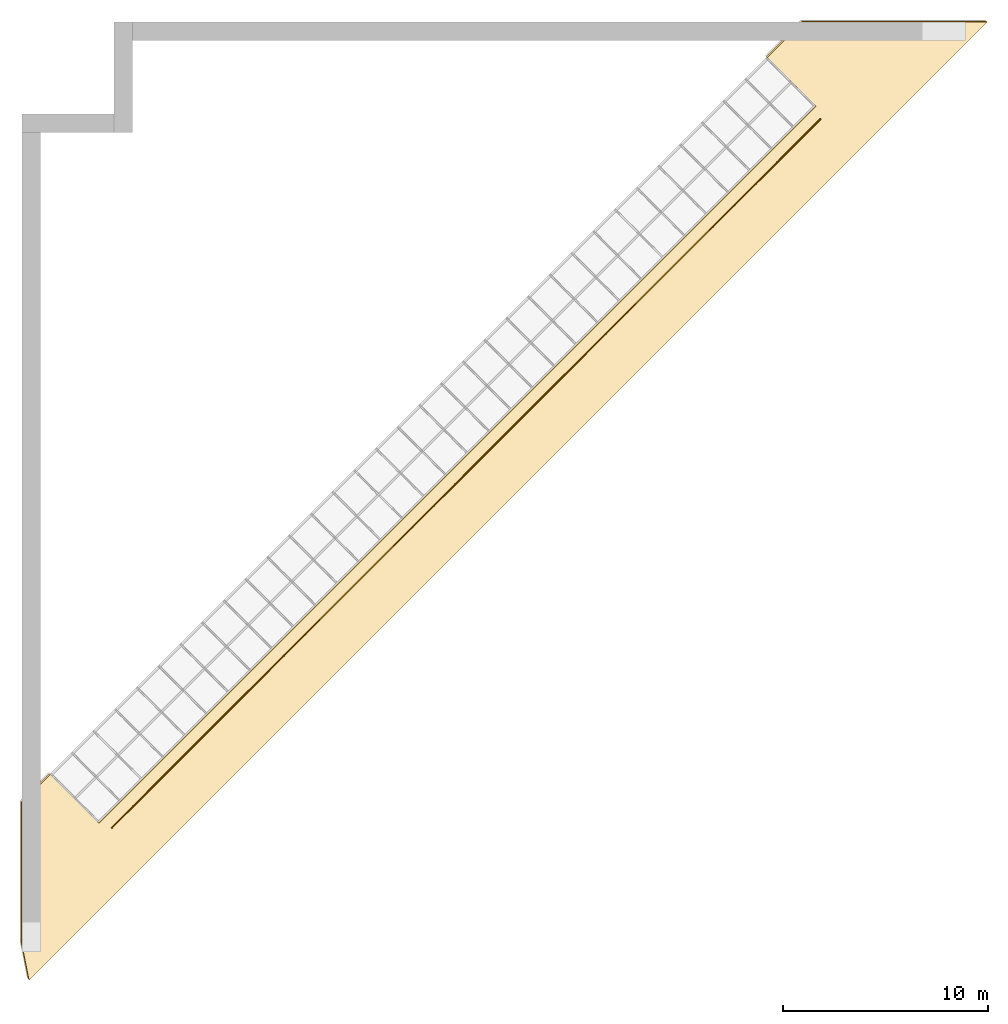
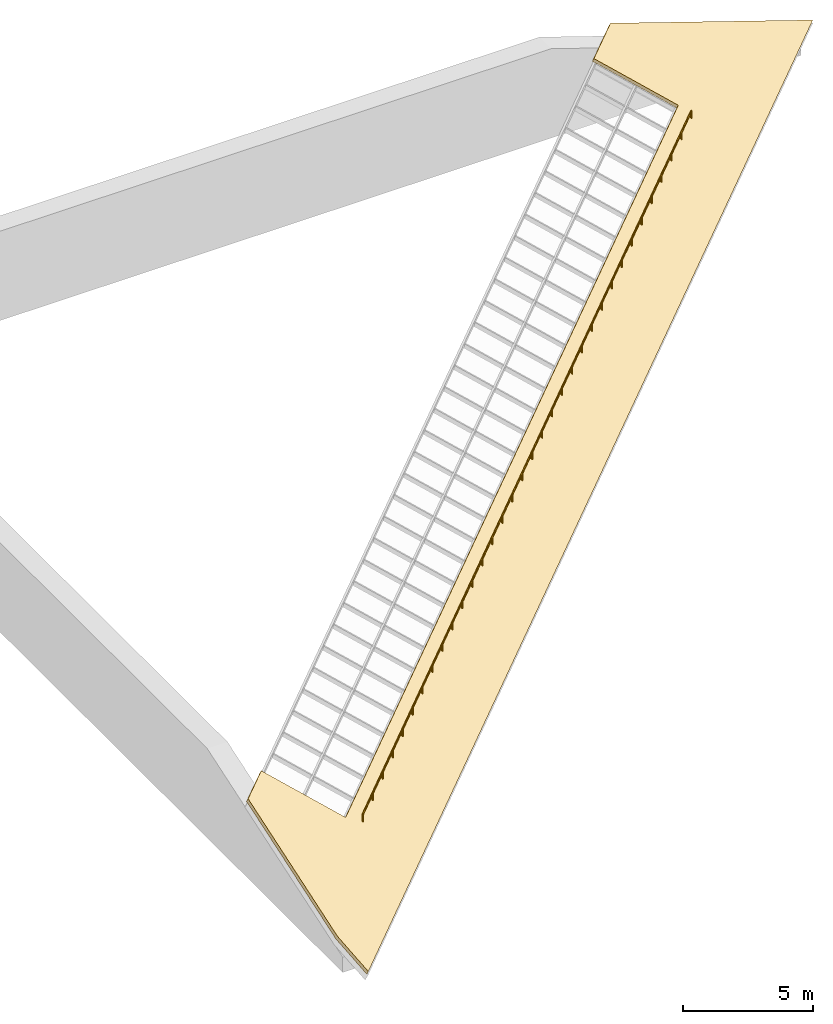
# One storey, part 4 of 4: 1 covering, 1 railing.
"""IFC4 building model written with IfcOpenShell, lengths in metres."""

from ifc_helpers import new_model, si_unit, direction, frame, origin, origin_2d, place, context, subcontext, project, spatial, polyline, circle, outline, extrude, material, layer, layer_set, type_object, element, save


model = new_model("IFC4")

# Units and contexts
model_context = context("Model", 3, precision=1e-05, world=origin(), true_north=direction((0.0, 1.0)))
body_context = subcontext(model_context, "Body", "Model", "MODEL_VIEW")
ifc_project = project(units=[si_unit("LENGTHUNIT", "METRE"), si_unit("AREAUNIT", "SQUARE_METRE"), si_unit("VOLUMEUNIT", "CUBIC_METRE"), si_unit("PLANEANGLEUNIT", "RADIAN"), si_unit("MASSUNIT", "GRAM", prefix="KILO")], contexts=[model_context])

# Site, building, storey
site_placement = place(None, origin())
site = spatial("IfcSite", under=ifc_project, at=site_placement, CompositionType="ELEMENT")
building_placement = place(site_placement, origin())
building = spatial("IfcBuilding", under=site, at=building_placement, Name="Hunhe Ridgeline Campus", CompositionType="ELEMENT")
storey_placement = place(building_placement, frame((0.0, 0.0, 319.800048828125)))
storey = spatial("IfcBuildingStorey", under=building, at=storey_placement, Name="L82 Crown", CompositionType="ELEMENT", Elevation=319.800048828125)

# Covering
ifc_material_1 = material(Name="Bituminous roofing membrane on mineral wool")
ifc_layer = layer(ifc_material_1, 0.14990234375)
ifc_layer_set = layer_set([ifc_layer], Name="Roof insulation and membrane 150")
covering_type = type_object("IfcCoveringType", Name="Roof insulation and membrane 150", PredefinedType="ROOFING", material=ifc_layer_set)
covering_placement = place(storey_placement, frame((0.0, 54.0, 1.45751953125), z_axis=(0.30152912385, -0.301527147579, 0.90452283926), x_axis=(0.181704280584, -0.913117887016, -0.364964763819)))
element("IfcCovering", 1, at=covering_placement, inside=storey, type_object=covering_type, Name="Roof insulation and membrane 7", PredefinedType="ROOFING", context=body_context, shape_type="SweptSolid", body=[
    extrude(outline(polyline([(0.0, 0.0), (1.937667436667103, 1.1102230246251565e-16), (-32.27002551822526, 56.60888778392989), (-35.00034743766614, 47.52336043991547), (-33.72840917628658, 45.41848273297777), (-30.54538586459371, 47.34192423451083), (-4.944481097295544, 4.976052117672018), (-8.127504408988417, 3.052610616138973), (-7.117882209095109, 1.3818288451119196), (0.0, 0.0)])), origin(), (0.0, 0.0, -1.0), 0.14990234375),
])

# Railing
ifc_material_2 = material(Name="Steel Q355", Category="steel")
railing_type = type_object("IfcRailingType", Name="Snow guard 350 Steel Q355", PredefinedType="USERDEFINED", material=ifc_material_2)
railing_placement = place(storey_placement, frame((38.97314453125, 94.245849609375, 1.8818359375)))
element("IfcRailing", 2, at=railing_placement, inside=storey, type_object=railing_type, Name="Snow guard 5", ObjectType="SNOW GUARD", PredefinedType="USERDEFINED", context=body_context, shape_type="SweptSolid", body=[
    extrude(circle(Radius=0.02392578125, at=origin_2d()), frame((0.0, 0.0, 0.326171875), z_axis=(-0.707106781187, -0.707106781187, 0.0), x_axis=(0.707106781187, -0.707106781187, 0.0)), (0.0, 0.0, 1.0), 48.900146484375),
    extrude(circle(Radius=0.02099609375, at=origin_2d()), origin(), (0.0, 0.0, 1.0), 0.302001953125),
    extrude(circle(Radius=0.02099609375, at=origin_2d()), frame((-1.0478515625, -1.0478515625, 0.0)), (0.0, 0.0, 1.0), 0.302001953125),
    extrude(circle(Radius=0.02099609375, at=origin_2d()), frame((-2.095703125, -2.095703125, 0.0)), (0.0, 0.0, 1.0), 0.302001953125),
    extrude(circle(Radius=0.02099609375, at=origin_2d()), frame((-3.143310546875, -3.143310546875, 0.0)), (0.0, 0.0, 1.0), 0.302001953125),
    extrude(circle(Radius=0.02099609375, at=origin_2d()), frame((-4.191162109375, -4.191162109375, 0.0)), (0.0, 0.0, 1.0), 0.302001953125),
    extrude(circle(Radius=0.02099609375, at=origin_2d()), frame((-5.239013671875, -5.239013671875, 0.0)), (0.0, 0.0, 1.0), 0.302001953125),
    extrude(circle(Radius=0.02099609375, at=origin_2d()), frame((-6.286865234375, -6.286865234375, 0.0)), (0.0, 0.0, 1.0), 0.302001953125),
    extrude(circle(Radius=0.02099609375, at=origin_2d()), frame((-7.334716796875, -7.334716796875, 0.0)), (0.0, 0.0, 1.0), 0.302001953125),
    extrude(circle(Radius=0.02099609375, at=origin_2d()), frame((-8.382568359375, -8.382568359375, 0.0)), (0.0, 0.0, 1.0), 0.302001953125),
    extrude(circle(Radius=0.02099609375, at=origin_2d()), frame((-9.43017578125, -9.43017578125, 0.0)), (0.0, 0.0, 1.0), 0.302001953125),
    extrude(circle(Radius=0.02099609375, at=origin_2d()), frame((-10.47802734375, -10.47802734375, 0.0)), (0.0, 0.0, 1.0), 0.302001953125),
    extrude(circle(Radius=0.02099609375, at=origin_2d()), frame((-11.52587890625, -11.52587890625, 0.0)), (0.0, 0.0, 1.0), 0.302001953125),
    extrude(circle(Radius=0.02099609375, at=origin_2d()), frame((-12.57373046875, -12.57373046875, 0.0)), (0.0, 0.0, 1.0), 0.302001953125),
    extrude(circle(Radius=0.02099609375, at=origin_2d()), frame((-13.62158203125, -13.62158203125, 0.0)), (0.0, 0.0, 1.0), 0.302001953125),
    extrude(circle(Radius=0.02099609375, at=origin_2d()), frame((-14.669189453125, -14.669189453125, 0.0)), (0.0, 0.0, 1.0), 0.302001953125),
    extrude(circle(Radius=0.02099609375, at=origin_2d()), frame((-15.717041015625, -15.717041015625, 0.0)), (0.0, 0.0, 1.0), 0.302001953125),
    extrude(circle(Radius=0.02099609375, at=origin_2d()), frame((-16.764892578125, -16.764892578125, 0.0)), (0.0, 0.0, 1.0), 0.302001953125),
    extrude(circle(Radius=0.02099609375, at=origin_2d()), frame((-17.812744140625, -17.812744140625, 0.0)), (0.0, 0.0, 1.0), 0.302001953125),
    extrude(circle(Radius=0.02099609375, at=origin_2d()), frame((-18.860595703125, -18.860595703125, 0.0)), (0.0, 0.0, 1.0), 0.302001953125),
    extrude(circle(Radius=0.02099609375, at=origin_2d()), frame((-19.908447265625, -19.908447265625, 0.0)), (0.0, 0.0, 1.0), 0.302001953125),
    extrude(circle(Radius=0.02099609375, at=origin_2d()), frame((-20.9560546875, -20.9560546875, 0.0)), (0.0, 0.0, 1.0), 0.302001953125),
    extrude(circle(Radius=0.02099609375, at=origin_2d()), frame((-22.00390625, -22.00390625, 0.0)), (0.0, 0.0, 1.0), 0.302001953125),
    extrude(circle(Radius=0.02099609375, at=origin_2d()), frame((-23.0517578125, -23.0517578125, 0.0)), (0.0, 0.0, 1.0), 0.302001953125),
    extrude(circle(Radius=0.02099609375, at=origin_2d()), frame((-24.099609375, -24.099609375, 0.0)), (0.0, 0.0, 1.0), 0.302001953125),
    extrude(circle(Radius=0.02099609375, at=origin_2d()), frame((-25.1474609375, -25.1474609375, 0.0)), (0.0, 0.0, 1.0), 0.302001953125),
    extrude(circle(Radius=0.02099609375, at=origin_2d()), frame((-26.195068359375, -26.195068359375, 0.0)), (0.0, 0.0, 1.0), 0.302001953125),
    extrude(circle(Radius=0.02099609375, at=origin_2d()), frame((-27.242919921875, -27.242919921875, 0.0)), (0.0, 0.0, 1.0), 0.302001953125),
    extrude(circle(Radius=0.02099609375, at=origin_2d()), frame((-28.290771484375, -28.290771484375, 0.0)), (0.0, 0.0, 1.0), 0.302001953125),
    extrude(circle(Radius=0.02099609375, at=origin_2d()), frame((-29.338623046875, -29.338623046875, 0.0)), (0.0, 0.0, 1.0), 0.302001953125),
    extrude(circle(Radius=0.02099609375, at=origin_2d()), frame((-30.386474609375, -30.386474609375, 0.0)), (0.0, 0.0, 1.0), 0.302001953125),
    extrude(circle(Radius=0.02099609375, at=origin_2d()), frame((-31.434326171875, -31.434326171875, 0.0)), (0.0, 0.0, 1.0), 0.302001953125),
    extrude(circle(Radius=0.02099609375, at=origin_2d()), frame((-32.48193359375, -32.48193359375, 0.0)), (0.0, 0.0, 1.0), 0.302001953125),
    extrude(circle(Radius=0.02099609375, at=origin_2d()), frame((-33.52978515625, -33.52978515625, 0.0)), (0.0, 0.0, 1.0), 0.302001953125),
    extrude(circle(Radius=0.02099609375, at=origin_2d()), frame((-34.57763671875, -34.57763671875, 0.0)), (0.0, 0.0, 1.0), 0.302001953125),
])

save(model, "model.ifc")
